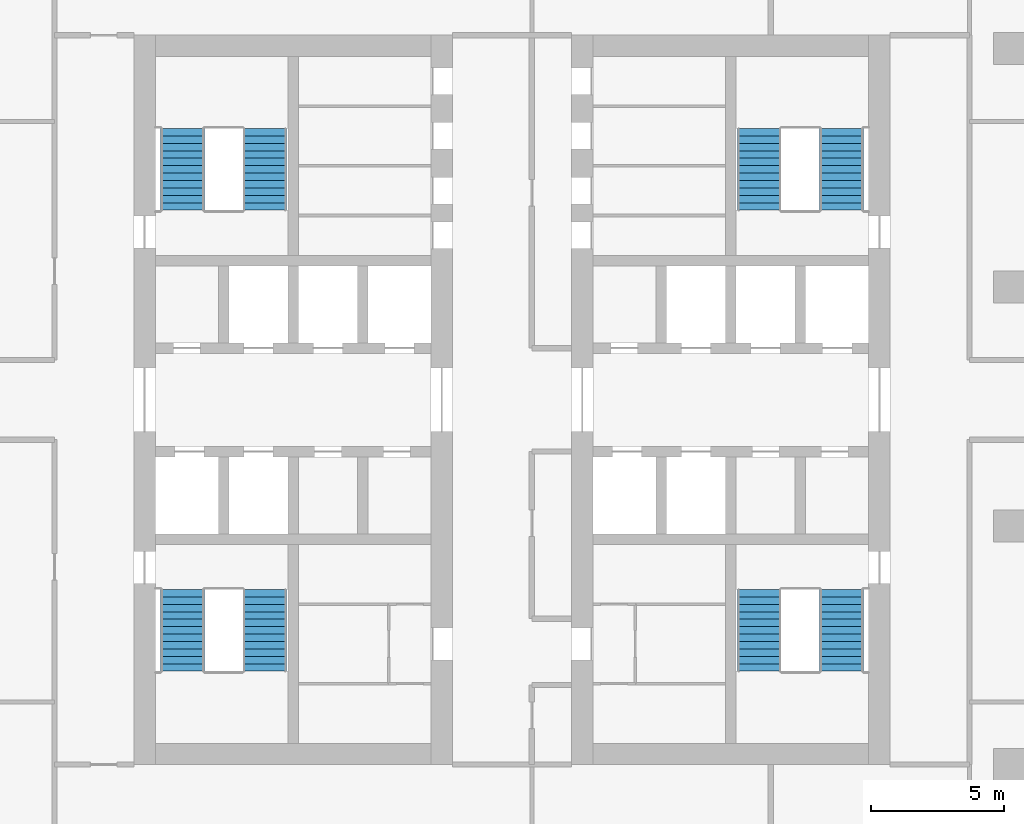
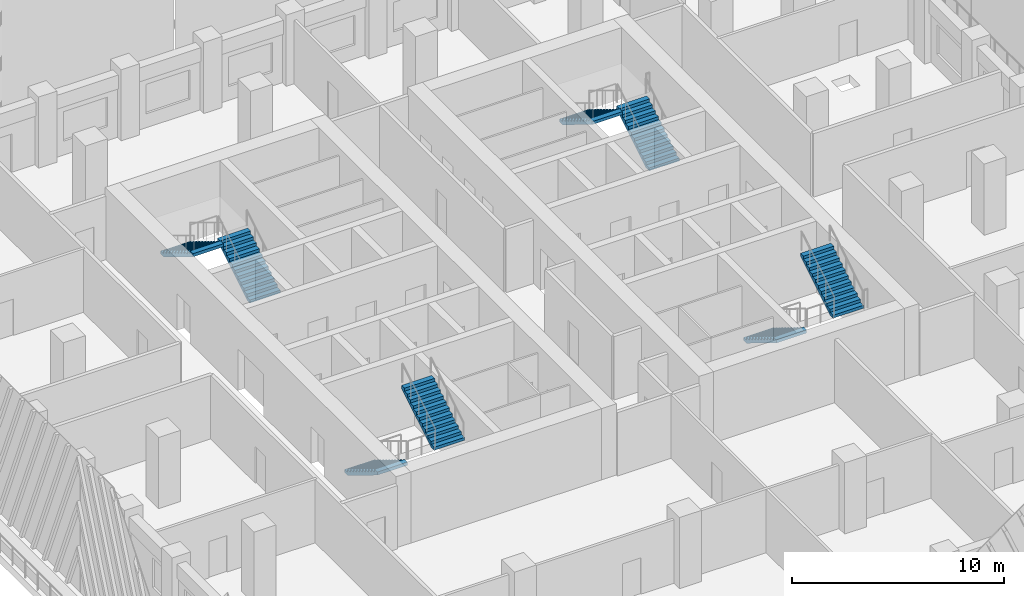
# One storey, part 8 of 16: 8 stair flights, 4 elements without a shape of their own.
"""IFC4 building model written with IfcOpenShell, lengths in metres."""

from ifc_helpers import new_model, si_unit, direction, frame, origin, place, context, subcontext, project, spatial, polyline, outline, extrude, material, type_object, element, aggregate, save


model = new_model("IFC4")

# Units and contexts
model_context = context("Model", 3, precision=1e-05, world=origin(), true_north=direction((0.0, 1.0)))
body_context = subcontext(model_context, "Body", "Model", "MODEL_VIEW")
ifc_project = project(units=[si_unit("LENGTHUNIT", "METRE"), si_unit("AREAUNIT", "SQUARE_METRE"), si_unit("VOLUMEUNIT", "CUBIC_METRE"), si_unit("PLANEANGLEUNIT", "RADIAN"), si_unit("MASSUNIT", "GRAM", prefix="KILO")], contexts=[model_context])

# Site, building, storey
site_placement = place(None, origin())
site = spatial("IfcSite", under=ifc_project, at=site_placement, CompositionType="ELEMENT")
building_placement = place(site_placement, origin())
building = spatial("IfcBuilding", under=site, at=building_placement, Name="Corbel Stack Research Tower", CompositionType="ELEMENT")
storey_placement = place(building_placement, frame((0.0, 0.0, 191.5)))
storey = spatial("IfcBuildingStorey", under=building, at=storey_placement, Name="L43", CompositionType="ELEMENT", Elevation=191.5)

# Stair, stair flights
ifc_material_1 = material(Name="Concrete C40/50", Category="concrete")
stair_type = type_object("IfcStairType", Name="Exit stair 24 risers", PredefinedType="HALF_TURN_STAIR", material=ifc_material_1)
stair_1_placement = place(storey_placement, origin())
stair_1 = element("IfcStair", 1, at=stair_1_placement, inside=storey, type_object=stair_type, Name="L43 Exit stair ST-W1", PredefinedType="HALF_TURN_STAIR")
ifc_material_2 = material(Name="Concrete C40/50", Category="concrete")
stair_flight_type = type_object("IfcStairFlightType", Name="Stair flight 12 risers", PredefinedType="STRAIGHT", material=ifc_material_2)
stair_flight_1_placement = place(storey_placement, frame((-8.675048828125, -2.39990234375, 0.0), z_axis=(0.0, 0.0, 1.0), x_axis=(0.0, -1.0, 0.0)))
stair_flight_1 = element("IfcStairFlight", 2, at=stair_flight_1_placement, type_object=stair_flight_type, Name="ST-W1 flight 1", NumberOfRisers=12, NumberOfTreads=11, PredefinedType="STRAIGHT", RiserHeight=0.170833333, TreadLength=0.28, context=body_context, shape_type="SweptSolid", body=[
    extrude(outline(polyline([(0.0, 0.0), (0.0, 0.1708984375), (0.280029296875, 0.1708984375), (0.280029296875, 0.341552734375), (0.56005859375, 0.341552734375), (0.56005859375, 0.512451171875), (0.840087890625, 0.512451171875), (0.840087890625, 0.683349609375), (1.1201171875, 0.683349609375), (1.1201171875, 0.854248046875), (1.39990234375, 0.854248046875), (1.39990234375, 1.02490234375), (1.679931640625, 1.02490234375), (1.679931640625, 1.19580078125), (1.9599609375, 1.19580078125), (1.9599609375, 1.36669921875), (2.239990234375, 1.36669921875), (2.239990234375, 1.53759765625), (2.52001953125, 1.53759765625), (2.52001953125, 1.708251953125), (2.800048828125, 1.708251953125), (2.800048828125, 1.879150390625), (3.080078125, 1.879150390625), (3.080078125, 2.050048828125), (3.080078125, 1.70361328125), (0.287841796875, 0.0), (0.0, 0.0)])), frame((0.0, 0.824951171875, 0.0), z_axis=(0.0, -1.0, 0.0), x_axis=(1.0, 0.0, 0.0)), (0.0, 0.0, 1.0), 1.64990234375),
])
stair_flight_2_placement = place(storey_placement, frame((-5.574951171875, -5.47998046875, 2.050048828125), z_axis=(0.0, 0.0, 1.0), x_axis=(0.0, 1.0, 0.0)))
stair_flight_2 = element("IfcStairFlight", 3, at=stair_flight_2_placement, type_object=stair_flight_type, Name="ST-W1 flight 2", NumberOfRisers=12, NumberOfTreads=11, PredefinedType="STRAIGHT", RiserHeight=0.170833333, TreadLength=0.28, context=body_context, shape_type="SweptSolid", body=[
    extrude(outline(polyline([(0.0, 0.0), (0.0, 0.1708984375), (0.280029296875, 0.1708984375), (0.280029296875, 0.341552734375), (0.56005859375, 0.341552734375), (0.56005859375, 0.512451171875), (0.840087890625, 0.512451171875), (0.840087890625, 0.683349609375), (1.1201171875, 0.683349609375), (1.1201171875, 0.854248046875), (1.39990234375, 0.854248046875), (1.39990234375, 1.02490234375), (1.679931640625, 1.02490234375), (1.679931640625, 1.19580078125), (1.9599609375, 1.19580078125), (1.9599609375, 1.36669921875), (2.239990234375, 1.36669921875), (2.239990234375, 1.53759765625), (2.52001953125, 1.53759765625), (2.52001953125, 1.708251953125), (2.800048828125, 1.708251953125), (2.800048828125, 1.879150390625), (3.080078125, 1.879150390625), (3.080078125, 2.050048828125), (3.080078125, 1.70361328125), (0.287841796875, 0.0), (0.0, 0.0)])), frame((0.0, 0.824951171875, 0.0), z_axis=(0.0, -1.0, 0.0), x_axis=(1.0, 0.0, 0.0)), (0.0, 0.0, 1.0), 1.64990234375),
])
aggregate(stair_1, [stair_flight_1, stair_flight_2])

stair_2_placement = place(storey_placement, origin())
stair_2 = element("IfcStair", 4, at=stair_2_placement, inside=storey, type_object=stair_type, Name="L43 Exit stair ST-W2", PredefinedType="HALF_TURN_STAIR")
stair_flight_3_placement = place(storey_placement, frame((-5.574951171875, 11.89990234375, 0.0), z_axis=(0.0, 0.0, 1.0), x_axis=(0.0, 1.0, 0.0)))
stair_flight_3 = element("IfcStairFlight", 5, at=stair_flight_3_placement, type_object=stair_flight_type, Name="ST-W2 flight 1", NumberOfRisers=12, NumberOfTreads=11, PredefinedType="STRAIGHT", RiserHeight=0.170833333, TreadLength=0.28, context=body_context, shape_type="SweptSolid", body=[
    extrude(outline(polyline([(0.0, 0.0), (0.0, 0.1708984375), (0.280029296875, 0.1708984375), (0.280029296875, 0.341552734375), (0.56005859375, 0.341552734375), (0.56005859375, 0.512451171875), (0.840087890625, 0.512451171875), (0.840087890625, 0.683349609375), (1.1201171875, 0.683349609375), (1.1201171875, 0.854248046875), (1.39990234375, 0.854248046875), (1.39990234375, 1.02490234375), (1.679931640625, 1.02490234375), (1.679931640625, 1.19580078125), (1.9599609375, 1.19580078125), (1.9599609375, 1.36669921875), (2.239990234375, 1.36669921875), (2.239990234375, 1.53759765625), (2.52001953125, 1.53759765625), (2.52001953125, 1.708251953125), (2.800048828125, 1.708251953125), (2.800048828125, 1.879150390625), (3.080078125, 1.879150390625), (3.080078125, 2.050048828125), (3.080078125, 1.70361328125), (0.287841796875, 0.0), (0.0, 0.0)])), frame((0.0, 0.824951171875, 0.0), z_axis=(0.0, -1.0, 0.0), x_axis=(1.0, 0.0, 0.0)), (0.0, 0.0, 1.0), 1.64990234375),
])
stair_flight_4_placement = place(storey_placement, frame((-8.675048828125, 14.97998046875, 2.050048828125), z_axis=(0.0, 0.0, 1.0), x_axis=(0.0, -1.0, 0.0)))
stair_flight_4 = element("IfcStairFlight", 6, at=stair_flight_4_placement, type_object=stair_flight_type, Name="ST-W2 flight 2", NumberOfRisers=12, NumberOfTreads=11, PredefinedType="STRAIGHT", RiserHeight=0.170833333, TreadLength=0.28, context=body_context, shape_type="SweptSolid", body=[
    extrude(outline(polyline([(0.0, 0.0), (0.0, 0.1708984375), (0.280029296875, 0.1708984375), (0.280029296875, 0.341552734375), (0.56005859375, 0.341552734375), (0.56005859375, 0.512451171875), (0.840087890625, 0.512451171875), (0.840087890625, 0.683349609375), (1.1201171875, 0.683349609375), (1.1201171875, 0.854248046875), (1.39990234375, 0.854248046875), (1.39990234375, 1.02490234375), (1.679931640625, 1.02490234375), (1.679931640625, 1.19580078125), (1.9599609375, 1.19580078125), (1.9599609375, 1.36669921875), (2.239990234375, 1.36669921875), (2.239990234375, 1.53759765625), (2.52001953125, 1.53759765625), (2.52001953125, 1.708251953125), (2.800048828125, 1.708251953125), (2.800048828125, 1.879150390625), (3.080078125, 1.879150390625), (3.080078125, 2.050048828125), (3.080078125, 1.70361328125), (0.287841796875, 0.0), (0.0, 0.0)])), frame((0.0, 0.824951171875, 0.0), z_axis=(0.0, -1.0, 0.0), x_axis=(1.0, 0.0, 0.0)), (0.0, 0.0, 1.0), 1.64990234375),
])
aggregate(stair_2, [stair_flight_3, stair_flight_4])

stair_3_placement = place(storey_placement, origin())
stair_3 = element("IfcStair", 7, at=stair_3_placement, inside=storey, type_object=stair_type, Name="L43 Exit stair ST-E1", PredefinedType="HALF_TURN_STAIR")
stair_flight_5_placement = place(storey_placement, frame((13.074951171875, -2.39990234375, 0.0), z_axis=(0.0, 0.0, 1.0), x_axis=(0.0, -1.0, 0.0)))
stair_flight_5 = element("IfcStairFlight", 8, at=stair_flight_5_placement, type_object=stair_flight_type, Name="ST-E1 flight 1", NumberOfRisers=12, NumberOfTreads=11, PredefinedType="STRAIGHT", RiserHeight=0.170833333, TreadLength=0.28, context=body_context, shape_type="SweptSolid", body=[
    extrude(outline(polyline([(0.0, 0.0), (0.0, 0.1708984375), (0.280029296875, 0.1708984375), (0.280029296875, 0.341552734375), (0.56005859375, 0.341552734375), (0.56005859375, 0.512451171875), (0.840087890625, 0.512451171875), (0.840087890625, 0.683349609375), (1.1201171875, 0.683349609375), (1.1201171875, 0.854248046875), (1.39990234375, 0.854248046875), (1.39990234375, 1.02490234375), (1.679931640625, 1.02490234375), (1.679931640625, 1.19580078125), (1.9599609375, 1.19580078125), (1.9599609375, 1.36669921875), (2.239990234375, 1.36669921875), (2.239990234375, 1.53759765625), (2.52001953125, 1.53759765625), (2.52001953125, 1.708251953125), (2.800048828125, 1.708251953125), (2.800048828125, 1.879150390625), (3.080078125, 1.879150390625), (3.080078125, 2.050048828125), (3.080078125, 1.70361328125), (0.287841796875, 0.0), (0.0, 0.0)])), frame((0.0, 0.824951171875, 0.0), z_axis=(0.0, -1.0, 0.0), x_axis=(1.0, 0.0, 0.0)), (0.0, 0.0, 1.0), 1.64990234375),
])
stair_flight_6_placement = place(storey_placement, frame((16.175048828125, -5.47998046875, 2.050048828125), z_axis=(0.0, 0.0, 1.0), x_axis=(0.0, 1.0, 0.0)))
stair_flight_6 = element("IfcStairFlight", 9, at=stair_flight_6_placement, type_object=stair_flight_type, Name="ST-E1 flight 2", NumberOfRisers=12, NumberOfTreads=11, PredefinedType="STRAIGHT", RiserHeight=0.170833333, TreadLength=0.28, context=body_context, shape_type="SweptSolid", body=[
    extrude(outline(polyline([(0.0, 0.0), (0.0, 0.1708984375), (0.280029296875, 0.1708984375), (0.280029296875, 0.341552734375), (0.56005859375, 0.341552734375), (0.56005859375, 0.512451171875), (0.840087890625, 0.512451171875), (0.840087890625, 0.683349609375), (1.1201171875, 0.683349609375), (1.1201171875, 0.854248046875), (1.39990234375, 0.854248046875), (1.39990234375, 1.02490234375), (1.679931640625, 1.02490234375), (1.679931640625, 1.19580078125), (1.9599609375, 1.19580078125), (1.9599609375, 1.36669921875), (2.239990234375, 1.36669921875), (2.239990234375, 1.53759765625), (2.52001953125, 1.53759765625), (2.52001953125, 1.708251953125), (2.800048828125, 1.708251953125), (2.800048828125, 1.879150390625), (3.080078125, 1.879150390625), (3.080078125, 2.050048828125), (3.080078125, 1.70361328125), (0.287841796875, 0.0), (0.0, 0.0)])), frame((0.0, 0.824951171875, 0.0), z_axis=(0.0, -1.0, 0.0), x_axis=(1.0, 0.0, 0.0)), (0.0, 0.0, 1.0), 1.64990234375),
])
aggregate(stair_3, [stair_flight_5, stair_flight_6])

stair_4_placement = place(storey_placement, origin())
stair_4 = element("IfcStair", 10, at=stair_4_placement, inside=storey, type_object=stair_type, Name="L43 Exit stair ST-E2", PredefinedType="HALF_TURN_STAIR")
stair_flight_7_placement = place(storey_placement, frame((16.175048828125, 11.89990234375, 0.0), z_axis=(0.0, 0.0, 1.0), x_axis=(0.0, 1.0, 0.0)))
stair_flight_7 = element("IfcStairFlight", 11, at=stair_flight_7_placement, type_object=stair_flight_type, Name="ST-E2 flight 1", NumberOfRisers=12, NumberOfTreads=11, PredefinedType="STRAIGHT", RiserHeight=0.170833333, TreadLength=0.28, context=body_context, shape_type="SweptSolid", body=[
    extrude(outline(polyline([(0.0, 0.0), (0.0, 0.1708984375), (0.280029296875, 0.1708984375), (0.280029296875, 0.341552734375), (0.56005859375, 0.341552734375), (0.56005859375, 0.512451171875), (0.840087890625, 0.512451171875), (0.840087890625, 0.683349609375), (1.1201171875, 0.683349609375), (1.1201171875, 0.854248046875), (1.39990234375, 0.854248046875), (1.39990234375, 1.02490234375), (1.679931640625, 1.02490234375), (1.679931640625, 1.19580078125), (1.9599609375, 1.19580078125), (1.9599609375, 1.36669921875), (2.239990234375, 1.36669921875), (2.239990234375, 1.53759765625), (2.52001953125, 1.53759765625), (2.52001953125, 1.708251953125), (2.800048828125, 1.708251953125), (2.800048828125, 1.879150390625), (3.080078125, 1.879150390625), (3.080078125, 2.050048828125), (3.080078125, 1.70361328125), (0.287841796875, 0.0), (0.0, 0.0)])), frame((0.0, 0.824951171875, 0.0), z_axis=(0.0, -1.0, 0.0), x_axis=(1.0, 0.0, 0.0)), (0.0, 0.0, 1.0), 1.64990234375),
])
stair_flight_8_placement = place(storey_placement, frame((13.074951171875, 14.97998046875, 2.050048828125), z_axis=(0.0, 0.0, 1.0), x_axis=(0.0, -1.0, 0.0)))
stair_flight_8 = element("IfcStairFlight", 12, at=stair_flight_8_placement, type_object=stair_flight_type, Name="ST-E2 flight 2", NumberOfRisers=12, NumberOfTreads=11, PredefinedType="STRAIGHT", RiserHeight=0.170833333, TreadLength=0.28, context=body_context, shape_type="SweptSolid", body=[
    extrude(outline(polyline([(0.0, 0.0), (0.0, 0.1708984375), (0.280029296875, 0.1708984375), (0.280029296875, 0.341552734375), (0.56005859375, 0.341552734375), (0.56005859375, 0.512451171875), (0.840087890625, 0.512451171875), (0.840087890625, 0.683349609375), (1.1201171875, 0.683349609375), (1.1201171875, 0.854248046875), (1.39990234375, 0.854248046875), (1.39990234375, 1.02490234375), (1.679931640625, 1.02490234375), (1.679931640625, 1.19580078125), (1.9599609375, 1.19580078125), (1.9599609375, 1.36669921875), (2.239990234375, 1.36669921875), (2.239990234375, 1.53759765625), (2.52001953125, 1.53759765625), (2.52001953125, 1.708251953125), (2.800048828125, 1.708251953125), (2.800048828125, 1.879150390625), (3.080078125, 1.879150390625), (3.080078125, 2.050048828125), (3.080078125, 1.70361328125), (0.287841796875, 0.0), (0.0, 0.0)])), frame((0.0, 0.824951171875, 0.0), z_axis=(0.0, -1.0, 0.0), x_axis=(1.0, 0.0, 0.0)), (0.0, 0.0, 1.0), 1.64990234375),
])
aggregate(stair_4, [stair_flight_7, stair_flight_8])

save(model, "model.ifc")
